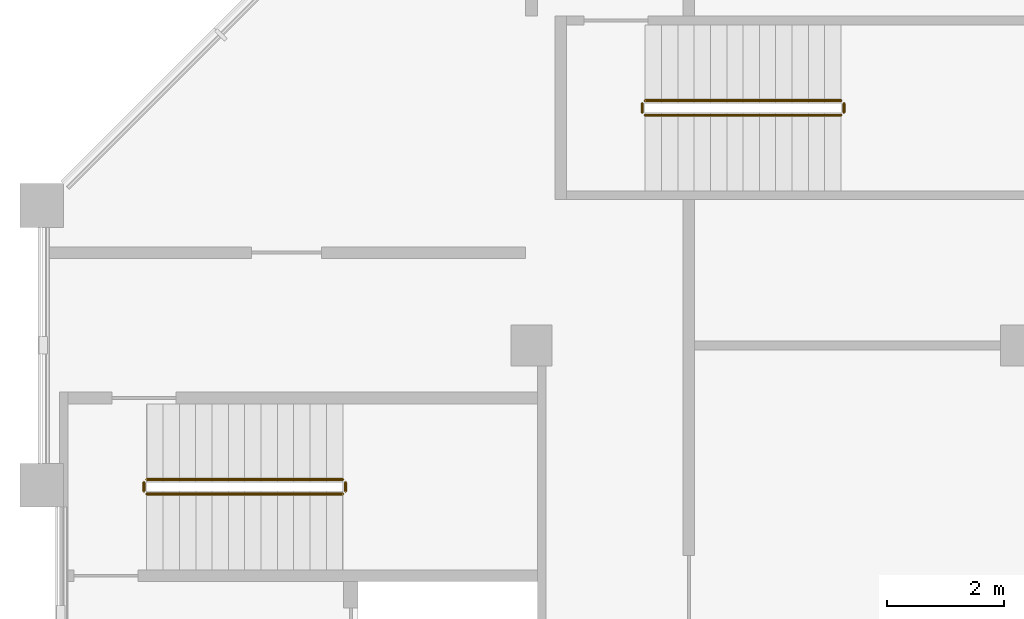
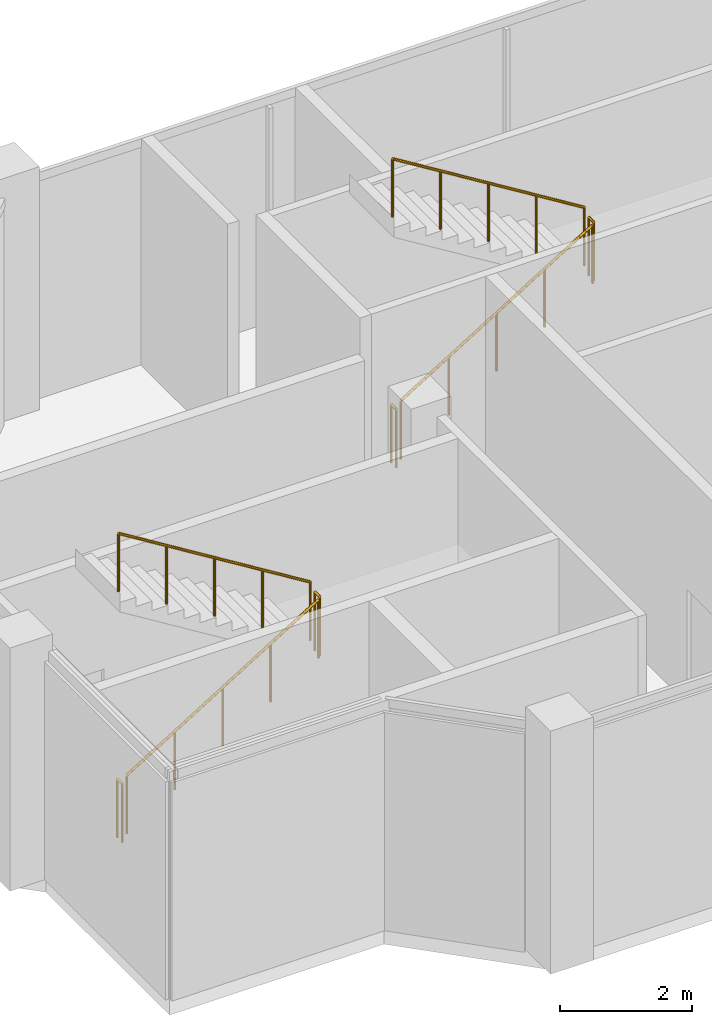
# One storey, part 3 of 4: 8 railings.
"""IFC4 building model written with IfcOpenShell, lengths in metres."""

from ifc_helpers import new_model, si_unit, direction, frame, origin, origin_2d, place, context, subcontext, project, spatial, circle, extrude, material, type_object, element, save


model = new_model("IFC4")

# Units and contexts
model_context = context("Model", 3, precision=1e-05, world=origin(), true_north=direction((0.0, 1.0)))
body_context = subcontext(model_context, "Body", "Model", "MODEL_VIEW")
ifc_project = project(units=[si_unit("LENGTHUNIT", "METRE"), si_unit("AREAUNIT", "SQUARE_METRE"), si_unit("VOLUMEUNIT", "CUBIC_METRE"), si_unit("PLANEANGLEUNIT", "RADIAN"), si_unit("MASSUNIT", "GRAM", prefix="KILO")], contexts=[model_context])

# Site, building, storey
site_placement = place(None, origin())
site = spatial("IfcSite", under=ifc_project, at=site_placement, CompositionType="ELEMENT")
building_placement = place(site_placement, origin())
building = spatial("IfcBuilding", under=site, at=building_placement, Name="Kawkab Arch Medical Tower", CompositionType="ELEMENT")
storey_placement = place(building_placement, frame((0.0, 0.0, 354.699951171875)))
storey = spatial("IfcBuildingStorey", under=building, at=storey_placement, Name="L82", CompositionType="ELEMENT", Elevation=354.699951171875)

# Railings
ifc_material = material(Name="Stainless steel", Category="steel")
railing_type = type_object("IfcRailingType", Name="Stair guard 1100", PredefinedType="GUARDRAIL", material=ifc_material)
railing_1_placement = place(storey_placement, frame((1.800048828125, -36.14990234375, 0.173095703125)))
element("IfcRailing", 1, at=railing_1_placement, inside=storey, type_object=railing_type, Name="L82 ST6 stair guard 1", PredefinedType="GUARDRAIL", context=body_context, shape_type="SweptSolid", body=[
    extrude(circle(Radius=0.02392578125, at=origin_2d()), frame((0.0, 0.0, 1.076171875), z_axis=(0.850606129759, 0.0, 0.525803396734), x_axis=(0.0, 1.0, 0.0)), (0.0, 0.0, 1.0), 3.949951171875),
    extrude(circle(Radius=0.02099609375, at=origin_2d()), origin(), (0.0, 0.0, 1.0), 1.052001953125),
    extrude(circle(Radius=0.02099609375, at=origin_2d()), frame((0.83984375, 0.0, 0.519287109375)), (0.0, 0.0, 1.0), 1.052001953125),
    extrude(circle(Radius=0.02099609375, at=origin_2d()), frame((1.679931640625, 0.0, 1.03857421875)), (0.0, 0.0, 1.0), 1.052001953125),
    extrude(circle(Radius=0.02099609375, at=origin_2d()), frame((2.52001953125, 0.0, 1.5576171875)), (0.0, 0.0, 1.0), 1.052001953125),
    extrude(circle(Radius=0.02099609375, at=origin_2d()), frame((3.35986328125, 0.0, 2.076904296875)), (0.0, 0.0, 1.0), 1.052001953125),
])
railing_2_placement = place(storey_placement, frame((5.2099609375, -36.10009765625, 2.25)))
element("IfcRailing", 2, at=railing_2_placement, inside=storey, type_object=railing_type, Name="L82 ST6 stair guard 2", PredefinedType="GUARDRAIL", context=body_context, shape_type="SweptSolid", body=[
    extrude(circle(Radius=0.02392578125, at=origin_2d()), frame((0.0, 0.0, 1.076171875), z_axis=(0.0, 1.0, 0.0), x_axis=(-1.0, 0.0, 0.0)), (0.0, 0.0, 1.0), 0.150146484375),
    extrude(circle(Radius=0.02099609375, at=origin_2d()), origin(), (0.0, 0.0, 1.0), 1.052001953125),
    extrude(circle(Radius=0.02099609375, at=origin_2d()), frame((0.0, 0.150146484375, 0.0)), (0.0, 0.0, 1.0), 1.052001953125),
])
railing_3_placement = place(storey_placement, frame((5.159912109375, -35.89990234375, 2.423095703125)))
element("IfcRailing", 3, at=railing_3_placement, inside=storey, type_object=railing_type, Name="L82 ST6 stair guard 3", PredefinedType="GUARDRAIL", context=body_context, shape_type="SweptSolid", body=[
    extrude(circle(Radius=0.02392578125, at=origin_2d()), frame((0.0, 0.0, 1.076171875), z_axis=(-0.850606129759, 0.0, 0.525803396734), x_axis=(0.0, -1.0, 0.0)), (0.0, 0.0, 1.0), 3.949951171875),
    extrude(circle(Radius=0.02099609375, at=origin_2d()), origin(), (0.0, 0.0, 1.0), 1.052001953125),
    extrude(circle(Radius=0.02099609375, at=origin_2d()), frame((-0.83984375, 0.0, 0.519287109375)), (0.0, 0.0, 1.0), 1.052001953125),
    extrude(circle(Radius=0.02099609375, at=origin_2d()), frame((-1.679931640625, 0.0, 1.03857421875)), (0.0, 0.0, 1.0), 1.052001953125),
    extrude(circle(Radius=0.02099609375, at=origin_2d()), frame((-2.52001953125, 0.0, 1.5576171875)), (0.0, 0.0, 1.0), 1.052001953125),
    extrude(circle(Radius=0.02099609375, at=origin_2d()), frame((-3.35986328125, 0.0, 2.076904296875)), (0.0, 0.0, 1.0), 1.052001953125),
])
railing_4_placement = place(storey_placement, frame((1.75, -36.10009765625, 0.0)))
element("IfcRailing", 4, at=railing_4_placement, inside=storey, type_object=railing_type, Name="L82 ST6 stair guard 4", PredefinedType="GUARDRAIL", context=body_context, shape_type="SweptSolid", body=[
    extrude(circle(Radius=0.02392578125, at=origin_2d()), frame((0.0, 0.0, 1.076171875), z_axis=(0.0, 1.0, 0.0), x_axis=(-1.0, 0.0, 0.0)), (0.0, 0.0, 1.0), 0.150146484375),
    extrude(circle(Radius=0.02099609375, at=origin_2d()), origin(), (0.0, 0.0, 1.0), 1.052001953125),
    extrude(circle(Radius=0.02099609375, at=origin_2d()), frame((0.0, 0.150146484375, 0.0)), (0.0, 0.0, 1.0), 1.052001953125),
])
railing_5_placement = place(storey_placement, frame((10.35009765625, -29.64990234375, 0.173095703125)))
element("IfcRailing", 5, at=railing_5_placement, inside=storey, type_object=railing_type, Name="L82 ST9 stair guard 1", PredefinedType="GUARDRAIL", context=body_context, shape_type="SweptSolid", body=[
    extrude(circle(Radius=0.02392578125, at=origin_2d()), frame((0.0, 0.0, 1.076171875), z_axis=(0.850606129759, 0.0, 0.525803396734), x_axis=(0.0, 1.0, 0.0)), (0.0, 0.0, 1.0), 3.949951171875),
    extrude(circle(Radius=0.02099609375, at=origin_2d()), origin(), (0.0, 0.0, 1.0), 1.052001953125),
    extrude(circle(Radius=0.02099609375, at=origin_2d()), frame((0.83984375, 0.0, 0.519287109375)), (0.0, 0.0, 1.0), 1.052001953125),
    extrude(circle(Radius=0.02099609375, at=origin_2d()), frame((1.679931640625, 0.0, 1.03857421875)), (0.0, 0.0, 1.0), 1.052001953125),
    extrude(circle(Radius=0.02099609375, at=origin_2d()), frame((2.52001953125, 0.0, 1.5576171875)), (0.0, 0.0, 1.0), 1.052001953125),
    extrude(circle(Radius=0.02099609375, at=origin_2d()), frame((3.35986328125, 0.0, 2.076904296875)), (0.0, 0.0, 1.0), 1.052001953125),
])
railing_6_placement = place(storey_placement, frame((13.760009765625, -29.60009765625, 2.25)))
element("IfcRailing", 6, at=railing_6_placement, inside=storey, type_object=railing_type, Name="L82 ST9 stair guard 2", PredefinedType="GUARDRAIL", context=body_context, shape_type="SweptSolid", body=[
    extrude(circle(Radius=0.02392578125, at=origin_2d()), frame((0.0, 0.0, 1.076171875), z_axis=(0.0, 1.0, 0.0), x_axis=(-1.0, 0.0, 0.0)), (0.0, 0.0, 1.0), 0.150146484375),
    extrude(circle(Radius=0.02099609375, at=origin_2d()), origin(), (0.0, 0.0, 1.0), 1.052001953125),
    extrude(circle(Radius=0.02099609375, at=origin_2d()), frame((0.0, 0.150146484375, 0.0)), (0.0, 0.0, 1.0), 1.052001953125),
])
railing_7_placement = place(storey_placement, frame((13.7099609375, -29.39990234375, 2.423095703125)))
element("IfcRailing", 7, at=railing_7_placement, inside=storey, type_object=railing_type, Name="L82 ST9 stair guard 3", PredefinedType="GUARDRAIL", context=body_context, shape_type="SweptSolid", body=[
    extrude(circle(Radius=0.02392578125, at=origin_2d()), frame((0.0, 0.0, 1.076171875), z_axis=(-0.850606129759, 0.0, 0.525803396734), x_axis=(0.0, -1.0, 0.0)), (0.0, 0.0, 1.0), 3.949951171875),
    extrude(circle(Radius=0.02099609375, at=origin_2d()), origin(), (0.0, 0.0, 1.0), 1.052001953125),
    extrude(circle(Radius=0.02099609375, at=origin_2d()), frame((-0.83984375, 0.0, 0.519287109375)), (0.0, 0.0, 1.0), 1.052001953125),
    extrude(circle(Radius=0.02099609375, at=origin_2d()), frame((-1.679931640625, 0.0, 1.03857421875)), (0.0, 0.0, 1.0), 1.052001953125),
    extrude(circle(Radius=0.02099609375, at=origin_2d()), frame((-2.52001953125, 0.0, 1.5576171875)), (0.0, 0.0, 1.0), 1.052001953125),
    extrude(circle(Radius=0.02099609375, at=origin_2d()), frame((-3.35986328125, 0.0, 2.076904296875)), (0.0, 0.0, 1.0), 1.052001953125),
])
railing_8_placement = place(storey_placement, frame((10.300048828125, -29.60009765625, 0.0)))
element("IfcRailing", 8, at=railing_8_placement, inside=storey, type_object=railing_type, Name="L82 ST9 stair guard 4", PredefinedType="GUARDRAIL", context=body_context, shape_type="SweptSolid", body=[
    extrude(circle(Radius=0.02392578125, at=origin_2d()), frame((0.0, 0.0, 1.076171875), z_axis=(0.0, 1.0, 0.0), x_axis=(-1.0, 0.0, 0.0)), (0.0, 0.0, 1.0), 0.150146484375),
    extrude(circle(Radius=0.02099609375, at=origin_2d()), origin(), (0.0, 0.0, 1.0), 1.052001953125),
    extrude(circle(Radius=0.02099609375, at=origin_2d()), frame((0.0, 0.150146484375, 0.0)), (0.0, 0.0, 1.0), 1.052001953125),
])

save(model, "model.ifc")
